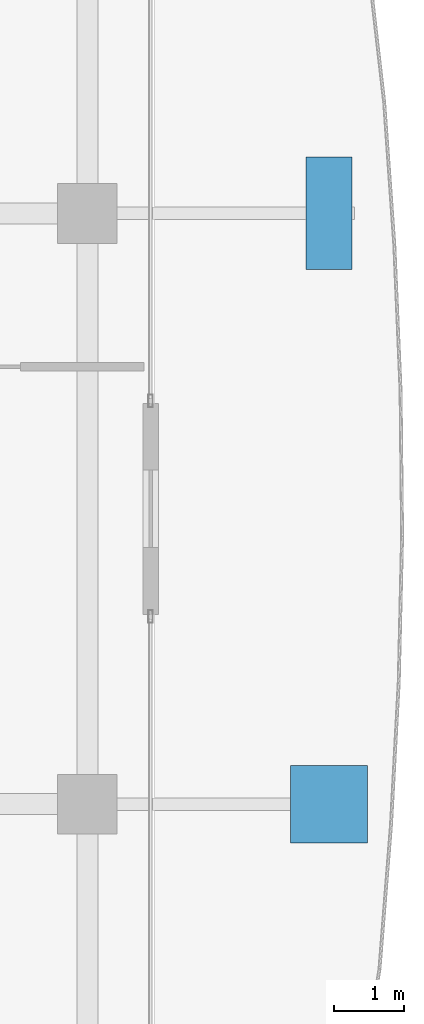
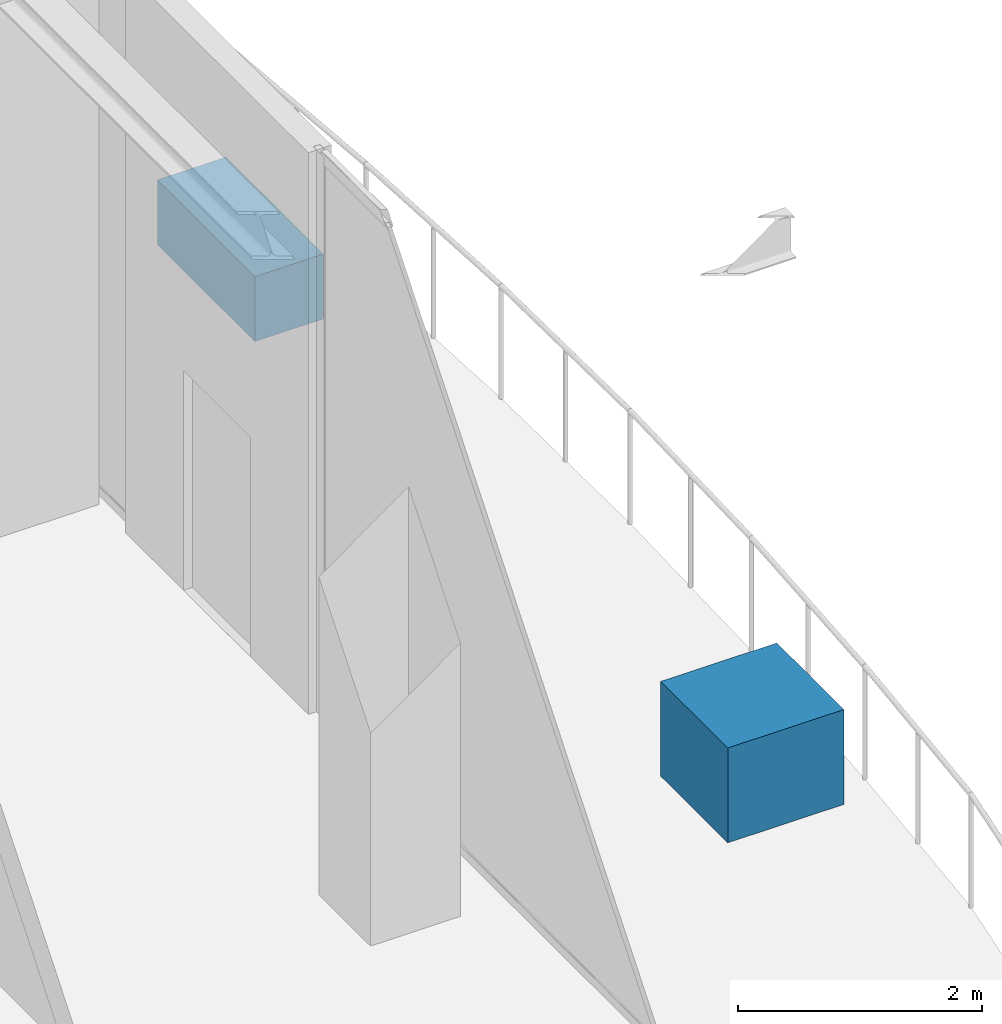
# One storey, part 31 of 38: 2 discrete accessories.
"""IFC4 building model written with IfcOpenShell, lengths in metres."""

from ifc_helpers import new_model, si_unit, direction, frame, origin, origin_2d, place, context, subcontext, project, spatial, rectangle, extrude, source, transform, mapped, material, type_object, element, save


model = new_model("IFC4")

# Units and contexts
model_context = context("Model", 3, precision=1e-05, world=origin(), true_north=direction((0.0, 1.0)))
body_context = subcontext(model_context, "Body", "Model", "MODEL_VIEW")
ifc_project = project(units=[si_unit("LENGTHUNIT", "METRE"), si_unit("AREAUNIT", "SQUARE_METRE"), si_unit("VOLUMEUNIT", "CUBIC_METRE"), si_unit("PLANEANGLEUNIT", "RADIAN"), si_unit("MASSUNIT", "GRAM", prefix="KILO")], contexts=[model_context])

# Site, building, storey
site_placement = place(None, origin())
site = spatial("IfcSite", under=ifc_project, at=site_placement, CompositionType="ELEMENT")
building_placement = place(site_placement, origin())
building = spatial("IfcBuilding", under=site, at=building_placement, Name="Serunith Strait Residences", CompositionType="ELEMENT")
storey_placement = place(building_placement, frame((0.0, 0.0, 342.050048828125)))
storey = spatial("IfcBuildingStorey", under=building, at=storey_placement, Name="L85", CompositionType="ELEMENT", Elevation=342.050048828125)

# Discrete accessories
ifc_material_1 = material(Name="GFRC Root-Anchored Structural Planter")
discrete_accessory_type_1 = type_object("IfcDiscreteAccessoryType", Name="ACC-PLANTER-TREE", PredefinedType="USERDEFINED", material=ifc_material_1)
shared_shape_1 = source(origin(), body_context, "Body", "SweptSolid", [
    extrude(rectangle(XDim=1.10009765625, YDim=1.10009765625, at=origin_2d()), origin(), (0.0, 0.0, 1.0), 0.949951171875),
])
discrete_accessory_1_placement = place(storey_placement, frame((56.53662109375, 21.0, -0.0498046875), z_axis=(0.0, 0.0, 1.0), x_axis=(0.0, 1.0, 0.0)))
element("IfcDiscreteAccessory", 1, at=discrete_accessory_1_placement, inside=storey, type_object=discrete_accessory_type_1, Name="L85 Vertical-Forest Tree Planter 10", ObjectType="PLANTER", PredefinedType="USERDEFINED", context=body_context, shape_type="MappedRepresentation", body=[
    mapped(shared_shape_1, transform((0.0, 0.0, 0.0), scale=1.0)),
])
ifc_material_2 = material(Name="GFRC Irrigated Shrub Trough Planter")
discrete_accessory_type_2 = type_object("IfcDiscreteAccessoryType", Name="ACC-PLANTER-SHRUB", PredefinedType="USERDEFINED", material=ifc_material_2)
shared_shape_2 = source(origin(), body_context, "Body", "SweptSolid", [
    extrude(rectangle(XDim=1.60009765625, YDim=0.64990234375, at=origin_2d()), origin(), (0.0, 0.0, 1.0), 0.64990234375),
])
discrete_accessory_2_placement = place(storey_placement, frame((56.5361328125, 29.39990234375, -0.050048828125), z_axis=(0.0, 0.0, 1.0), x_axis=(0.0, 1.0, 0.0)))
element("IfcDiscreteAccessory", 2, at=discrete_accessory_2_placement, inside=storey, type_object=discrete_accessory_type_2, Name="L85 Vertical-Forest Shrub Planter 11", ObjectType="PLANTER", PredefinedType="USERDEFINED", context=body_context, shape_type="MappedRepresentation", body=[
    mapped(shared_shape_2, transform((0.0, 0.0, 0.0), scale=1.0)),
])

save(model, "model.ifc")
